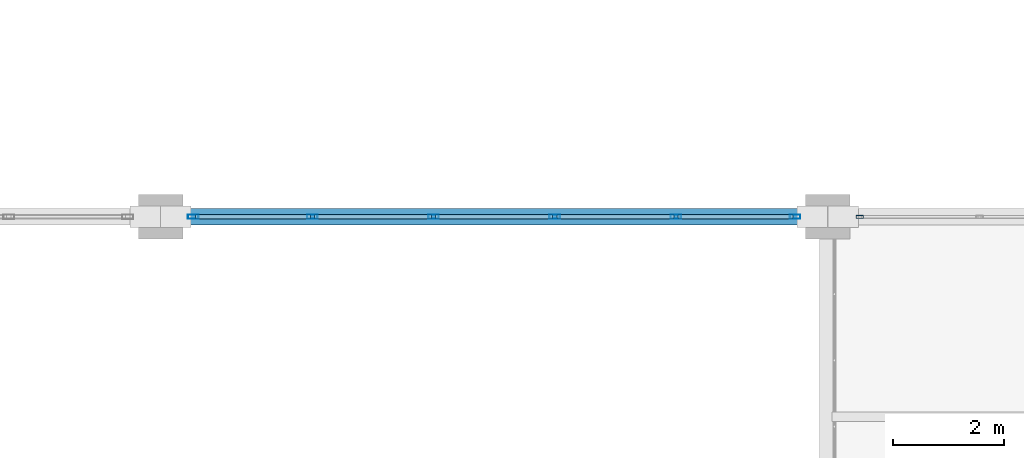
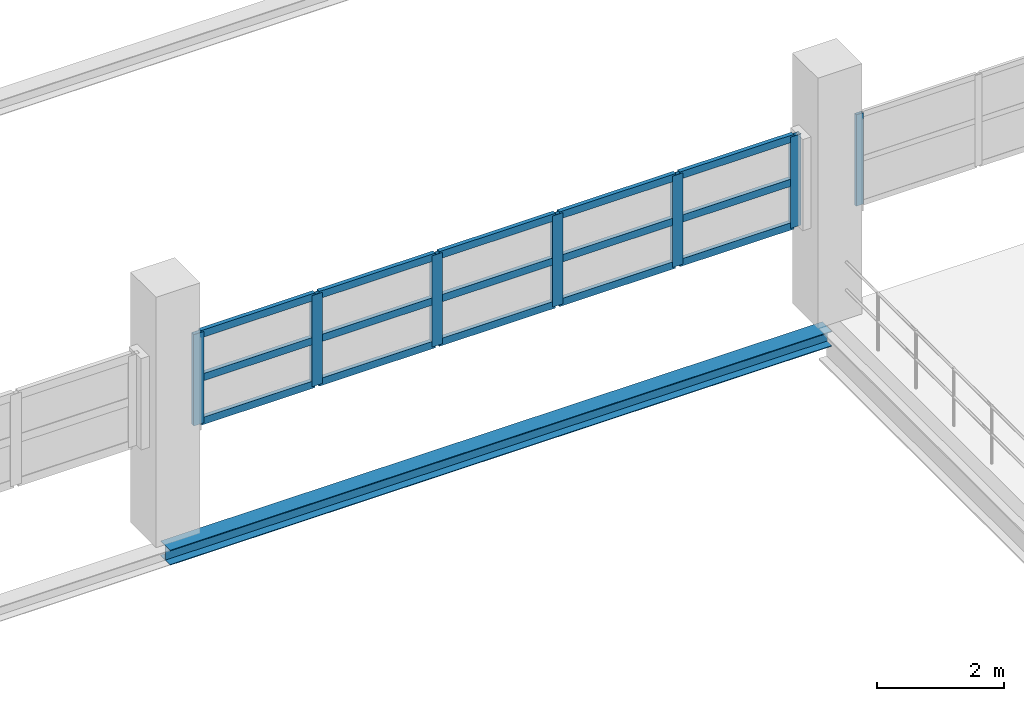
# One storey, part 59 of 86: 22 members, 1 beam, 2 elements without a shape of their own.
"""IFC4 building model written with IfcOpenShell, lengths in metres."""

from ifc_helpers import new_model, si_unit, direction, frame, origin, origin_2d, place, context, subcontext, project, spatial, hollow_rectangle, i_section, extrude, material, layer, layer_set, material_profile, profile_set, type_object, element, aggregate, save


model = new_model("IFC4")

# Units and contexts
model_context = context("Model", 3, precision=1e-05, world=origin(), true_north=direction((0.0, 1.0)))
body_context = subcontext(model_context, "Body", "Model", "MODEL_VIEW")
ifc_project = project(units=[si_unit("LENGTHUNIT", "METRE"), si_unit("AREAUNIT", "SQUARE_METRE"), si_unit("VOLUMEUNIT", "CUBIC_METRE"), si_unit("PLANEANGLEUNIT", "RADIAN"), si_unit("MASSUNIT", "GRAM", prefix="KILO")], contexts=[model_context])

# Site, building, storey
site_placement = place(None, origin())
site = spatial("IfcSite", under=ifc_project, at=site_placement, CompositionType="ELEMENT")
building_placement = place(site_placement, origin())
building = spatial("IfcBuilding", under=site, at=building_placement, Name="Zilviju Railside Exhibition Hall", CompositionType="ELEMENT")
storey_placement = place(building_placement, frame((0.0, 0.0, 12.60009765625)))
storey = spatial("IfcBuildingStorey", under=building, at=storey_placement, Name="L04", CompositionType="ELEMENT", Elevation=12.60009765625)

# Beam
ifc_material_1 = material(Name="Steel S355J2", Category="steel")
ifc_material_profile_1 = material_profile(ifc_material_1, i_section(OverallWidth=0.300048828125, OverallDepth=0.2900390625, WebThickness=0.008544921875, FlangeThickness=0.013916015625, at=origin_2d()), Name="HEA 300")
ifc_profile_set_1 = profile_set([ifc_material_profile_1], Name="Steel S355J2")
beam_type = type_object("IfcBeamType", Name="BM-HEA300", PredefinedType="SPANDREL", material=ifc_profile_set_1)
beam_placement = place(storey_placement, frame((144.0, 138.0, -0.485107421875), z_axis=(1.0, 0.0, 0.0), x_axis=(0.0, 1.0, 0.0)))
element("IfcBeam", 1, at=beam_placement, inside=storey, type_object=beam_type, Name="Primary Girder L04 Y=138.0 (144.0..156.0)", PredefinedType="SPANDREL", context=body_context, shape_type="SweptSolid", body=[
    extrude(i_section(OverallWidth=0.300048828125, OverallDepth=0.2900390625, WebThickness=0.008544921875, FlangeThickness=0.013916015625, at=origin_2d()), origin(), (0.0, 0.0, 1.0), 12.0),
])

# Curtain wall, member
ifc_material_2 = material(Name="Thermally broken aluminium-steel triple-glazed curtain wall", Category="steel")
ifc_layer_1 = layer(ifc_material_2, 0.179931640625)
ifc_layer_set_1 = layer_set([ifc_layer_1], Name="Thermally broken aluminium-steel triple-glazed curtain wall")
curtain_wall_type_1 = type_object("IfcCurtainWallType", Name="CW-BAY-08", PredefinedType="USERDEFINED", material=ifc_layer_set_1)
curtain_wall_1_placement = place(storey_placement, origin())
curtain_wall_1 = element("IfcCurtainWall", 2, at=curtain_wall_1_placement, inside=storey, type_object=curtain_wall_type_1, Name="North Hall Clerestory Curtain Wall L04 (156..168)", ObjectType="GLAZED CURTAIN WALL", PredefinedType="USERDEFINED")
ifc_material_3 = material(Name="Thermally broken anodized aluminium mullion", Category="aluminium")
ifc_material_profile_2 = material_profile(ifc_material_3, hollow_rectangle(XDim=0.054931640625, YDim=0.1298828125, WallThickness=0.0048828125, at=origin_2d()), Name="MULLION 130x55x5")
ifc_profile_set_2 = profile_set([ifc_material_profile_2], Name="Thermally broken anodized aluminium mullion")
member_type_1 = type_object("IfcMemberType", Name="CWM-55x130", PredefinedType="MULLION", material=ifc_profile_set_2)
member_1_placement = place(storey_placement, frame((156.577392578125, 138.0, 1.7998046875), z_axis=(0.0, 0.0, 1.0), x_axis=(0.0, 1.0, 0.0)))
member_1 = element("IfcMember", 3, at=member_1_placement, type_object=member_type_1, Name="CW-08 mullion 1", PredefinedType="MULLION", context=body_context, shape_type="SweptSolid", body=[
    extrude(hollow_rectangle(XDim=0.054931640625, YDim=0.1298828125, WallThickness=0.0048828125, at=origin_2d()), origin(), (0.0, 0.0, 1.0), 1.75),
])
aggregate(curtain_wall_1, [member_1])

# Curtain wall, members
ifc_layer_2 = layer(ifc_material_2, 0.179931640625)
ifc_layer_set_2 = layer_set([ifc_layer_2], Name="Thermally broken aluminium-steel triple-glazed curtain wall")
curtain_wall_type_2 = type_object("IfcCurtainWallType", Name="CW-BAY-07", PredefinedType="USERDEFINED", material=ifc_layer_set_2)
curtain_wall_2_placement = place(storey_placement, origin())
curtain_wall_2 = element("IfcCurtainWall", 4, at=curtain_wall_2_placement, inside=storey, type_object=curtain_wall_type_2, Name="North Hall Clerestory Curtain Wall L04 (144..156)", ObjectType="GLAZED CURTAIN WALL", PredefinedType="USERDEFINED")
ifc_material_profile_3 = material_profile(ifc_material_3, hollow_rectangle(XDim=0.074951171875, YDim=0.18994140625, WallThickness=0.0048828125, at=origin_2d()), Name="MULLION 190x75x5")
ifc_profile_set_3 = profile_set([ifc_material_profile_3], Name="Thermally broken anodized aluminium mullion")
member_type_2 = type_object("IfcMemberType", Name="CWM-75x190", PredefinedType="MULLION", material=ifc_profile_set_3)
member_2_placement = place(storey_placement, frame((144.58740234375, 138.0, 1.7998046875), z_axis=(0.0, 0.0, 1.0), x_axis=(0.0, 1.0, 0.0)))
member_2 = element("IfcMember", 5, at=member_2_placement, type_object=member_type_2, Name="CW-07 mullion 1", PredefinedType="MULLION", context=body_context, shape_type="SweptSolid", body=[
    extrude(hollow_rectangle(XDim=0.074951171875, YDim=0.18994140625, WallThickness=0.0048828125, at=origin_2d()), origin(), (0.0, 0.0, 1.0), 1.75),
])
member_3_placement = place(storey_placement, frame((146.72998046875, 138.0, 1.7998046875), z_axis=(0.0, 0.0, 1.0), x_axis=(0.0, 1.0, 0.0)))
member_3 = element("IfcMember", 6, at=member_3_placement, type_object=member_type_2, Name="CW-07 mullion 2", PredefinedType="MULLION", context=body_context, shape_type="SweptSolid", body=[
    extrude(hollow_rectangle(XDim=0.074951171875, YDim=0.18994140625, WallThickness=0.0048828125, at=origin_2d()), origin(), (0.0, 0.0, 1.0), 1.75),
])
member_4_placement = place(storey_placement, frame((148.909912109375, 138.0, 1.7998046875), z_axis=(0.0, 0.0, 1.0), x_axis=(0.0, 1.0, 0.0)))
member_4 = element("IfcMember", 7, at=member_4_placement, type_object=member_type_2, Name="CW-07 mullion 3", PredefinedType="MULLION", context=body_context, shape_type="SweptSolid", body=[
    extrude(hollow_rectangle(XDim=0.074951171875, YDim=0.18994140625, WallThickness=0.0048828125, at=origin_2d()), origin(), (0.0, 0.0, 1.0), 1.75),
])
member_5_placement = place(storey_placement, frame((151.090087890625, 138.0, 1.7998046875), z_axis=(0.0, 0.0, 1.0), x_axis=(0.0, 1.0, 0.0)))
member_5 = element("IfcMember", 8, at=member_5_placement, type_object=member_type_2, Name="CW-07 mullion 4", PredefinedType="MULLION", context=body_context, shape_type="SweptSolid", body=[
    extrude(hollow_rectangle(XDim=0.074951171875, YDim=0.18994140625, WallThickness=0.0048828125, at=origin_2d()), origin(), (0.0, 0.0, 1.0), 1.75),
])
member_6_placement = place(storey_placement, frame((153.27001953125, 138.0, 1.7998046875), z_axis=(0.0, 0.0, 1.0), x_axis=(0.0, 1.0, 0.0)))
member_6 = element("IfcMember", 9, at=member_6_placement, type_object=member_type_2, Name="CW-07 mullion 5", PredefinedType="MULLION", context=body_context, shape_type="SweptSolid", body=[
    extrude(hollow_rectangle(XDim=0.074951171875, YDim=0.18994140625, WallThickness=0.0048828125, at=origin_2d()), origin(), (0.0, 0.0, 1.0), 1.75),
])
member_7_placement = place(storey_placement, frame((155.41259765625, 138.0, 1.7998046875), z_axis=(0.0, 0.0, 1.0), x_axis=(0.0, 1.0, 0.0)))
member_7 = element("IfcMember", 10, at=member_7_placement, type_object=member_type_2, Name="CW-07 mullion 6", PredefinedType="MULLION", context=body_context, shape_type="SweptSolid", body=[
    extrude(hollow_rectangle(XDim=0.074951171875, YDim=0.18994140625, WallThickness=0.0048828125, at=origin_2d()), origin(), (0.0, 0.0, 1.0), 1.75),
])
ifc_material_4 = material(Name="Thermally broken anodized aluminium transom", Category="aluminium")
ifc_material_profile_4 = material_profile(ifc_material_4, hollow_rectangle(XDim=0.074951171875, YDim=0.139892578125, WallThickness=0.0048828125, at=origin_2d()), Name="TRANSOM 140x75x5")
ifc_profile_set_4 = profile_set([ifc_material_profile_4], Name="Thermally broken anodized aluminium transom")
member_type_3 = type_object("IfcMemberType", Name="CWT-75x140", PredefinedType="USERDEFINED", material=ifc_profile_set_4)
member_8_placement = place(storey_placement, frame((144.625, 138.0, 1.83740234375), z_axis=(1.0, 0.0, 0.0), x_axis=(0.0, 1.0, 0.0)))
member_8 = element("IfcMember", 11, at=member_8_placement, type_object=member_type_3, Name="CW-07 transom 1.1", ObjectType="TRANSOM", PredefinedType="USERDEFINED", context=body_context, shape_type="SweptSolid", body=[
    extrude(hollow_rectangle(XDim=0.074951171875, YDim=0.139892578125, WallThickness=0.0048828125, at=origin_2d()), origin(), (0.0, 0.0, 1.0), 2.0673828125),
])
member_9_placement = place(storey_placement, frame((144.625, 138.0, 2.6748046875), z_axis=(1.0, 0.0, 0.0), x_axis=(0.0, 1.0, 0.0)))
member_9 = element("IfcMember", 12, at=member_9_placement, type_object=member_type_3, Name="CW-07 transom 1.2", ObjectType="TRANSOM", PredefinedType="USERDEFINED", context=body_context, shape_type="SweptSolid", body=[
    extrude(hollow_rectangle(XDim=0.074951171875, YDim=0.139892578125, WallThickness=0.0048828125, at=origin_2d()), origin(), (0.0, 0.0, 1.0), 2.0673828125),
])
member_10_placement = place(storey_placement, frame((144.625, 138.0, 3.512451171875), z_axis=(1.0, 0.0, 0.0), x_axis=(0.0, 1.0, 0.0)))
member_10 = element("IfcMember", 13, at=member_10_placement, type_object=member_type_3, Name="CW-07 transom 1.3", ObjectType="TRANSOM", PredefinedType="USERDEFINED", context=body_context, shape_type="SweptSolid", body=[
    extrude(hollow_rectangle(XDim=0.074951171875, YDim=0.139892578125, WallThickness=0.0048828125, at=origin_2d()), origin(), (0.0, 0.0, 1.0), 2.0673828125),
])
member_11_placement = place(storey_placement, frame((146.767578125, 138.0, 1.83740234375), z_axis=(1.0, 0.0, 0.0), x_axis=(0.0, 1.0, 0.0)))
member_11 = element("IfcMember", 14, at=member_11_placement, type_object=member_type_3, Name="CW-07 transom 2.1", ObjectType="TRANSOM", PredefinedType="USERDEFINED", context=body_context, shape_type="SweptSolid", body=[
    extrude(hollow_rectangle(XDim=0.074951171875, YDim=0.139892578125, WallThickness=0.0048828125, at=origin_2d()), origin(), (0.0, 0.0, 1.0), 2.10498046875),
])
member_12_placement = place(storey_placement, frame((146.767578125, 138.0, 2.6748046875), z_axis=(1.0, 0.0, 0.0), x_axis=(0.0, 1.0, 0.0)))
member_12 = element("IfcMember", 15, at=member_12_placement, type_object=member_type_3, Name="CW-07 transom 2.2", ObjectType="TRANSOM", PredefinedType="USERDEFINED", context=body_context, shape_type="SweptSolid", body=[
    extrude(hollow_rectangle(XDim=0.074951171875, YDim=0.139892578125, WallThickness=0.0048828125, at=origin_2d()), origin(), (0.0, 0.0, 1.0), 2.10498046875),
])
member_13_placement = place(storey_placement, frame((146.767578125, 138.0, 3.512451171875), z_axis=(1.0, 0.0, 0.0), x_axis=(0.0, 1.0, 0.0)))
member_13 = element("IfcMember", 16, at=member_13_placement, type_object=member_type_3, Name="CW-07 transom 2.3", ObjectType="TRANSOM", PredefinedType="USERDEFINED", context=body_context, shape_type="SweptSolid", body=[
    extrude(hollow_rectangle(XDim=0.074951171875, YDim=0.139892578125, WallThickness=0.0048828125, at=origin_2d()), origin(), (0.0, 0.0, 1.0), 2.10498046875),
])
member_14_placement = place(storey_placement, frame((148.947509765625, 138.0, 1.83740234375), z_axis=(1.0, 0.0, 0.0), x_axis=(0.0, 1.0, 0.0)))
member_14 = element("IfcMember", 17, at=member_14_placement, type_object=member_type_3, Name="CW-07 transom 3.1", ObjectType="TRANSOM", PredefinedType="USERDEFINED", context=body_context, shape_type="SweptSolid", body=[
    extrude(hollow_rectangle(XDim=0.074951171875, YDim=0.139892578125, WallThickness=0.0048828125, at=origin_2d()), origin(), (0.0, 0.0, 1.0), 2.10498046875),
])
member_15_placement = place(storey_placement, frame((148.947509765625, 138.0, 2.6748046875), z_axis=(1.0, 0.0, 0.0), x_axis=(0.0, 1.0, 0.0)))
member_15 = element("IfcMember", 18, at=member_15_placement, type_object=member_type_3, Name="CW-07 transom 3.2", ObjectType="TRANSOM", PredefinedType="USERDEFINED", context=body_context, shape_type="SweptSolid", body=[
    extrude(hollow_rectangle(XDim=0.074951171875, YDim=0.139892578125, WallThickness=0.0048828125, at=origin_2d()), origin(), (0.0, 0.0, 1.0), 2.10498046875),
])
member_16_placement = place(storey_placement, frame((148.947509765625, 138.0, 3.512451171875), z_axis=(1.0, 0.0, 0.0), x_axis=(0.0, 1.0, 0.0)))
member_16 = element("IfcMember", 19, at=member_16_placement, type_object=member_type_3, Name="CW-07 transom 3.3", ObjectType="TRANSOM", PredefinedType="USERDEFINED", context=body_context, shape_type="SweptSolid", body=[
    extrude(hollow_rectangle(XDim=0.074951171875, YDim=0.139892578125, WallThickness=0.0048828125, at=origin_2d()), origin(), (0.0, 0.0, 1.0), 2.10498046875),
])
member_17_placement = place(storey_placement, frame((151.12744140625, 138.0, 1.83740234375), z_axis=(1.0, 0.0, 0.0), x_axis=(0.0, 1.0, 0.0)))
member_17 = element("IfcMember", 20, at=member_17_placement, type_object=member_type_3, Name="CW-07 transom 4.1", ObjectType="TRANSOM", PredefinedType="USERDEFINED", context=body_context, shape_type="SweptSolid", body=[
    extrude(hollow_rectangle(XDim=0.074951171875, YDim=0.139892578125, WallThickness=0.0048828125, at=origin_2d()), origin(), (0.0, 0.0, 1.0), 2.10498046875),
])
member_18_placement = place(storey_placement, frame((151.12744140625, 138.0, 2.6748046875), z_axis=(1.0, 0.0, 0.0), x_axis=(0.0, 1.0, 0.0)))
member_18 = element("IfcMember", 21, at=member_18_placement, type_object=member_type_3, Name="CW-07 transom 4.2", ObjectType="TRANSOM", PredefinedType="USERDEFINED", context=body_context, shape_type="SweptSolid", body=[
    extrude(hollow_rectangle(XDim=0.074951171875, YDim=0.139892578125, WallThickness=0.0048828125, at=origin_2d()), origin(), (0.0, 0.0, 1.0), 2.10498046875),
])
member_19_placement = place(storey_placement, frame((151.12744140625, 138.0, 3.512451171875), z_axis=(1.0, 0.0, 0.0), x_axis=(0.0, 1.0, 0.0)))
member_19 = element("IfcMember", 22, at=member_19_placement, type_object=member_type_3, Name="CW-07 transom 4.3", ObjectType="TRANSOM", PredefinedType="USERDEFINED", context=body_context, shape_type="SweptSolid", body=[
    extrude(hollow_rectangle(XDim=0.074951171875, YDim=0.139892578125, WallThickness=0.0048828125, at=origin_2d()), origin(), (0.0, 0.0, 1.0), 2.10498046875),
])
member_20_placement = place(storey_placement, frame((153.3076171875, 138.0, 1.83740234375), z_axis=(1.0, 0.0, 0.0), x_axis=(0.0, 1.0, 0.0)))
member_20 = element("IfcMember", 23, at=member_20_placement, type_object=member_type_3, Name="CW-07 transom 5.1", ObjectType="TRANSOM", PredefinedType="USERDEFINED", context=body_context, shape_type="SweptSolid", body=[
    extrude(hollow_rectangle(XDim=0.074951171875, YDim=0.139892578125, WallThickness=0.0048828125, at=origin_2d()), origin(), (0.0, 0.0, 1.0), 2.0673828125),
])
member_21_placement = place(storey_placement, frame((153.3076171875, 138.0, 2.6748046875), z_axis=(1.0, 0.0, 0.0), x_axis=(0.0, 1.0, 0.0)))
member_21 = element("IfcMember", 24, at=member_21_placement, type_object=member_type_3, Name="CW-07 transom 5.2", ObjectType="TRANSOM", PredefinedType="USERDEFINED", context=body_context, shape_type="SweptSolid", body=[
    extrude(hollow_rectangle(XDim=0.074951171875, YDim=0.139892578125, WallThickness=0.0048828125, at=origin_2d()), origin(), (0.0, 0.0, 1.0), 2.0673828125),
])
member_22_placement = place(storey_placement, frame((153.3076171875, 138.0, 3.512451171875), z_axis=(1.0, 0.0, 0.0), x_axis=(0.0, 1.0, 0.0)))
member_22 = element("IfcMember", 25, at=member_22_placement, type_object=member_type_3, Name="CW-07 transom 5.3", ObjectType="TRANSOM", PredefinedType="USERDEFINED", context=body_context, shape_type="SweptSolid", body=[
    extrude(hollow_rectangle(XDim=0.074951171875, YDim=0.139892578125, WallThickness=0.0048828125, at=origin_2d()), origin(), (0.0, 0.0, 1.0), 2.0673828125),
])
aggregate(curtain_wall_2, [member_2, member_3, member_4, member_5, member_6, member_7, member_8, member_9, member_10, member_11, member_12, member_13, member_14, member_15, member_16, member_17, member_18, member_19, member_20, member_21, member_22])

save(model, "model.ifc")
